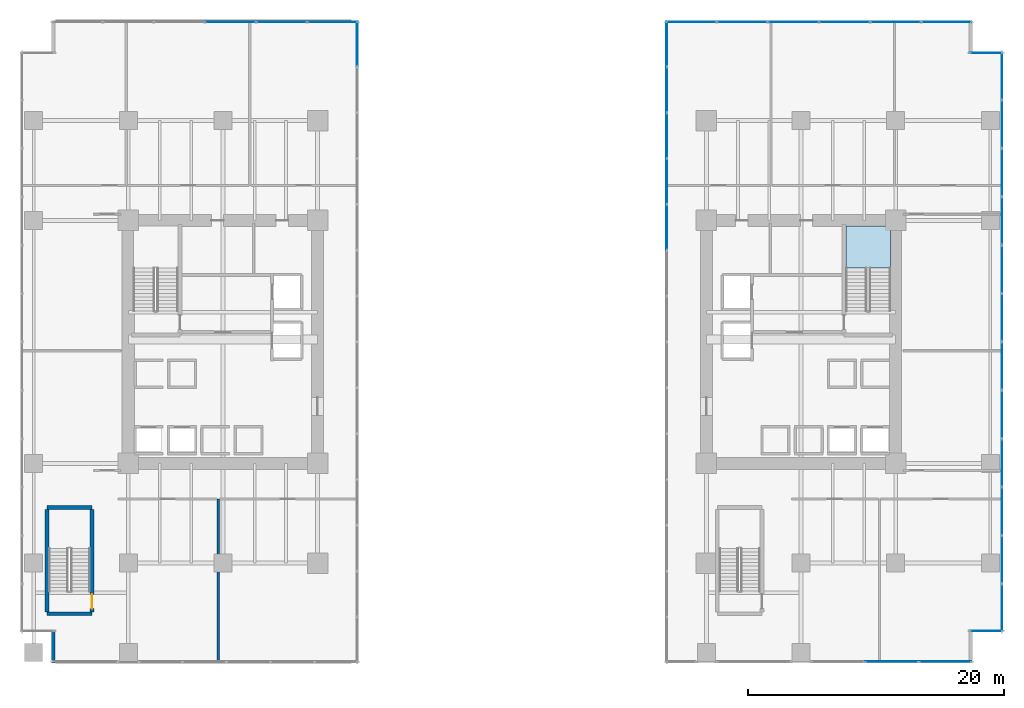
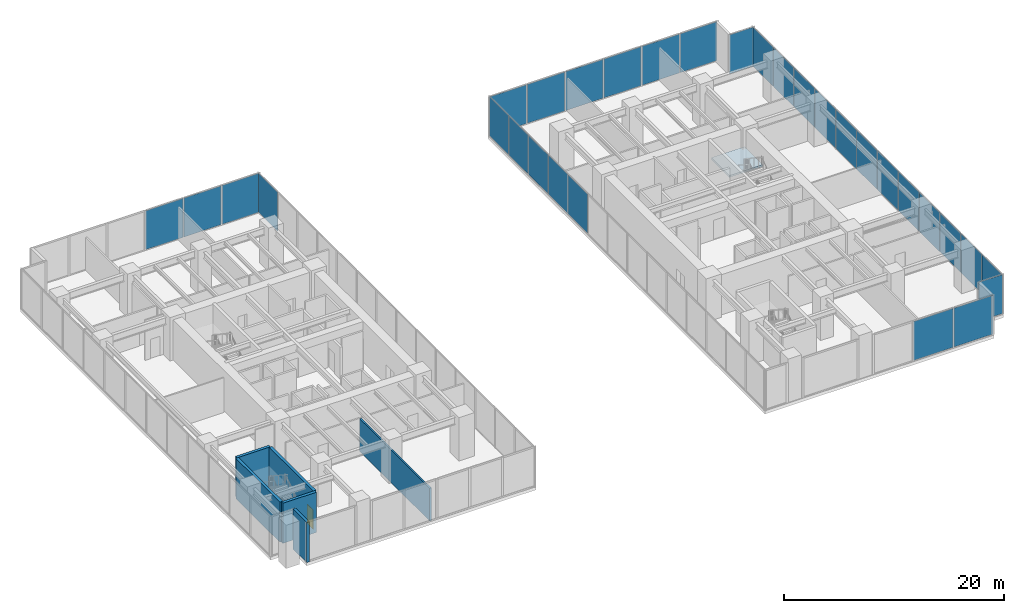
# One storey, part 24 of 32: 31 plates, 6 walls, 1 door, 1 slab, 1 opening, 9 elements without a shape of their own.
"""IFC4 building model written with IfcOpenShell, lengths in metres."""

from ifc_helpers import new_model, si_unit, direction, frame, frame_2d, origin, origin_2d, place, context, subcontext, project, spatial, polyline, rectangle, outline, extrude, source, transform, mapped, material, layer, layer_set, type_object, type_shapes, element, fill, aggregate, save


model = new_model("IFC4")

# Units and contexts
model_context = context("Model", 3, precision=1e-05, world=origin(), true_north=direction((0.0, 1.0)))
body_context = subcontext(model_context, "Body", "Model", "MODEL_VIEW")
ifc_project = project(units=[si_unit("LENGTHUNIT", "METRE"), si_unit("AREAUNIT", "SQUARE_METRE"), si_unit("VOLUMEUNIT", "CUBIC_METRE"), si_unit("PLANEANGLEUNIT", "RADIAN"), si_unit("MASSUNIT", "GRAM", prefix="KILO")], contexts=[model_context])

# Site, building, storey
site_placement = place(None, origin())
site = spatial("IfcSite", under=ifc_project, at=site_placement, CompositionType="ELEMENT")
building_placement = place(site_placement, origin())
building = spatial("IfcBuilding", under=site, at=building_placement, Name="Haelvirn Gate Laboratories", CompositionType="ELEMENT")
storey_placement = place(building_placement, frame((0.0, 0.0, 5.39990234375)))
storey = spatial("IfcBuildingStorey", under=building, at=storey_placement, Name="L02", CompositionType="ELEMENT", Elevation=5.39990234375)

# Stair, slab
ifc_material_1 = material(Name="Concrete C40/50", Category="concrete")
stair_type = type_object("IfcStairType", Name="ST-DOG-1650-R26", PredefinedType="HALF_TURN_STAIR", material=ifc_material_1)
stair_placement = place(storey_placement, origin())
stair = element("IfcStair", 1, at=stair_placement, inside=storey, type_object=stair_type, Name="L02 Escape Stair ST2", PredefinedType="HALF_TURN_STAIR")
ifc_layer_1 = layer(ifc_material_1, 0.199951171875, Name="SL-STAIR-LND")
ifc_layer_set_1 = layer_set([ifc_layer_1], Name="Concrete C40/50")
slab_type = type_object("IfcSlabType", Name="SL-STAIR-LND", PredefinedType="LANDING", material=ifc_layer_set_1)
slab_placement = place(storey_placement, frame((0.0, 0.0, 2.2001953125)))
slab = element("IfcSlab", 2, at=slab_placement, type_object=slab_type, Name="ST2 landing 1", PredefinedType="LANDING", context=body_context, shape_type="SweptSolid", body=[
    extrude(outline(polyline([(67.0, 30.06005859375), (67.0, 33.35009765625), (63.5, 33.35009765625), (63.5, 30.06005859375), (67.0, 30.06005859375)])), origin(), (0.0, 0.0, 1.0), 0.199951171875),
])
aggregate(stair, [slab])

# Curtain wall, plate
ifc_material_2 = material(Name="Anodised bronze unitised aluminium & triple low-E glass", Category="aluminium")
ifc_layer_2 = layer(ifc_material_2, 0.18798828125, Name="CW-SYS-1")
ifc_layer_set_2 = layer_set([ifc_layer_2], Name="Anodised bronze unitised aluminium & triple low-E glass")
curtain_wall_type_1 = type_object("IfcCurtainWallType", Name="CW-SYS-1", PredefinedType="NOTDEFINED", material=ifc_layer_set_2)
curtain_wall_1_placement = place(storey_placement, origin())
curtain_wall_1 = element("IfcCurtainWall", 3, at=curtain_wall_1_placement, inside=storey, type_object=curtain_wall_type_1, Name="L02 Unitised Curtain Wall CW-L02-P0-E01", PredefinedType="NOTDEFINED")
ifc_material_3 = material(Name="Bronze solar-control triple low-E IGU 48 mm", Category="glass")
ifc_layer_3 = layer(ifc_material_3, 0.048095703125, Name="CWP-IGU-48")
ifc_layer_set_3 = layer_set([ifc_layer_3], Name="Bronze solar-control triple low-E IGU 48 mm")
plate_type_1 = type_object("IfcPlateType", Name="CWP-IGU-48", PredefinedType="CURTAIN_PANEL", material=ifc_layer_set_3)
shared_shape_1 = source(origin(), body_context, "Body", "SweptSolid", [
    extrude(rectangle(XDim=3.4658203125, YDim=0.048095703125, at=origin_2d()), origin(), (0.0, 0.0, 1.0), 4.31005859375),
])
plate_1_placement = place(storey_placement, frame((25.300048828125, 47.587158203125, 0.070068359375), z_axis=(0.0, 0.0, 1.0), x_axis=(0.0, 1.0, 0.0)))
plate_1 = element("IfcPlate", 4, at=plate_1_placement, type_object=plate_type_1, Name="CW1 panel 14.1", PredefinedType="CURTAIN_PANEL", context=body_context, shape_type="MappedRepresentation", body=[
    mapped(shared_shape_1, transform((0.0, 0.0, 0.0), scale=1.0)),
])
aggregate(curtain_wall_1, [plate_1])

# Curtain wall, plates
curtain_wall_2_placement = place(storey_placement, origin())
curtain_wall_2 = element("IfcCurtainWall", 5, at=curtain_wall_2_placement, inside=storey, type_object=curtain_wall_type_1, Name="L02 Unitised Curtain Wall CW-L02-P1-E07", PredefinedType="NOTDEFINED")
plate_2_placement = place(storey_placement, frame((49.5, 47.587158203125, 0.070068359375), z_axis=(0.0, 0.0, 1.0), x_axis=(0.0, -1.0, 0.0)))
plate_2 = element("IfcPlate", 6, at=plate_2_placement, type_object=plate_type_1, Name="CW1 panel 1.1", PredefinedType="CURTAIN_PANEL", context=body_context, shape_type="MappedRepresentation", body=[
    mapped(shared_shape_1, transform((0.0, 0.0, 0.0), scale=1.0)),
])
shared_shape_2 = source(origin(), body_context, "Body", "SweptSolid", [
    extrude(rectangle(XDim=3.505615234375, YDim=0.048095703125, at=origin_2d()), origin(), (0.0, 0.0, 1.0), 4.31005859375),
])
plate_3_placement = place(storey_placement, frame((49.5, 44.021484375, 0.070068359375), z_axis=(0.0, 0.0, 1.0), x_axis=(0.0, -1.0, 0.0)))
plate_3 = element("IfcPlate", 7, at=plate_3_placement, type_object=plate_type_1, Name="CW1 panel 2.1", PredefinedType="CURTAIN_PANEL", context=body_context, shape_type="MappedRepresentation", body=[
    mapped(shared_shape_2, transform((0.0, 0.0, 0.0), scale=1.0)),
])
plate_4_placement = place(storey_placement, frame((49.5, 40.435791015625, 0.070068359375), z_axis=(0.0, 0.0, 1.0), x_axis=(0.0, -1.0, 0.0)))
plate_4 = element("IfcPlate", 8, at=plate_4_placement, type_object=plate_type_1, Name="CW1 panel 3.1", PredefinedType="CURTAIN_PANEL", context=body_context, shape_type="MappedRepresentation", body=[
    mapped(shared_shape_2, transform((0.0, 0.0, 0.0), scale=1.0)),
])
plate_5_placement = place(storey_placement, frame((49.5, 36.85009765625, 0.070068359375), z_axis=(0.0, 0.0, 1.0), x_axis=(0.0, -1.0, 0.0)))
plate_5 = element("IfcPlate", 9, at=plate_5_placement, type_object=plate_type_1, Name="CW1 panel 4.1", PredefinedType="CURTAIN_PANEL", context=body_context, shape_type="MappedRepresentation", body=[
    mapped(shared_shape_2, transform((0.0, 0.0, 0.0), scale=1.0)),
])
plate_6_placement = place(storey_placement, frame((49.5, 33.264404296875, 0.070068359375), z_axis=(0.0, 0.0, 1.0), x_axis=(0.0, -1.0, 0.0)))
plate_6 = element("IfcPlate", 10, at=plate_6_placement, type_object=plate_type_1, Name="CW1 panel 5.1", PredefinedType="CURTAIN_PANEL", context=body_context, shape_type="MappedRepresentation", body=[
    mapped(shared_shape_2, transform((0.0, 0.0, 0.0), scale=1.0)),
])
aggregate(curtain_wall_2, [plate_2, plate_3, plate_4, plate_5, plate_6])

# Curtain wall, plate
curtain_wall_3_placement = place(storey_placement, origin())
curtain_wall_3 = element("IfcCurtainWall", 11, at=curtain_wall_3_placement, inside=storey, type_object=curtain_wall_type_1, Name="L02 Unitised Curtain Wall CW-L02-P0-E02-1", PredefinedType="NOTDEFINED")
shared_shape_3 = source(origin(), body_context, "Body", "SweptSolid", [
    extrude(rectangle(XDim=3.8798828125, YDim=0.048095703125, at=origin_2d()), origin(), (0.0, 0.0, 1.0), 4.31005859375),
])
plate_7_placement = place(storey_placement, frame((23.3798828125, 49.300048828125, 0.070068359375), z_axis=(0.0, 0.0, 1.0), x_axis=(1.0, 0.0, 0.0)))
plate_7 = element("IfcPlate", 12, at=plate_7_placement, type_object=plate_type_1, Name="CW1 panel 6.1", PredefinedType="CURTAIN_PANEL", context=body_context, shape_type="MappedRepresentation", body=[
    mapped(shared_shape_3, transform((0.0, 0.0, 0.0), scale=1.0)),
])

# Curtain wall, plates
curtain_wall_4_placement = place(storey_placement, origin())
curtain_wall_4 = element("IfcCurtainWall", 13, at=curtain_wall_4_placement, inside=storey, type_object=curtain_wall_type_1, Name="L02 Unitised Curtain Wall CW-L02-P1-E06-1", PredefinedType="NOTDEFINED")
plate_8_placement = place(storey_placement, frame((51.419921875, 49.300048828125, 0.070068359375), z_axis=(0.0, 0.0, 1.0), x_axis=(1.0, 0.0, 0.0)))
plate_8 = element("IfcPlate", 14, at=plate_8_placement, type_object=plate_type_1, Name="CW1 panel 1.1", PredefinedType="CURTAIN_PANEL", context=body_context, shape_type="MappedRepresentation", body=[
    mapped(shared_shape_3, transform((0.0, 0.0, 0.0), scale=1.0)),
])
plate_9_placement = place(storey_placement, frame((71.3798828125, 49.300048828125, 0.070068359375), z_axis=(0.0, 0.0, 1.0), x_axis=(1.0, 0.0, 0.0)))
plate_9 = element("IfcPlate", 15, at=plate_9_placement, type_object=plate_type_1, Name="CW1 panel 6.1", PredefinedType="CURTAIN_PANEL", context=body_context, shape_type="MappedRepresentation", body=[
    mapped(shared_shape_3, transform((0.0, 0.0, 0.0), scale=1.0)),
])

# Plate
shared_shape_4 = source(origin(), body_context, "Body", "SweptSolid", [
    extrude(rectangle(XDim=3.919921875, YDim=0.048095703125, at=origin_2d()), origin(), (0.0, 0.0, 1.0), 4.31005859375),
])
plate_10_placement = place(storey_placement, frame((15.39990234375, 49.300048828125, 0.070068359375), z_axis=(0.0, 0.0, 1.0), x_axis=(1.0, 0.0, 0.0)))
plate_10 = element("IfcPlate", 16, at=plate_10_placement, type_object=plate_type_1, Name="CW1 panel 4.1", PredefinedType="CURTAIN_PANEL", context=body_context, shape_type="MappedRepresentation", body=[
    mapped(shared_shape_4, transform((0.0, 0.0, 0.0), scale=1.0)),
])

plate_11_placement = place(storey_placement, frame((19.39990234375, 49.300048828125, 0.070068359375), z_axis=(0.0, 0.0, 1.0), x_axis=(1.0, 0.0, 0.0)))
plate_11 = element("IfcPlate", 17, at=plate_11_placement, type_object=plate_type_1, Name="CW1 panel 5.1", PredefinedType="CURTAIN_PANEL", context=body_context, shape_type="MappedRepresentation", body=[
    mapped(shared_shape_4, transform((0.0, 0.0, 0.0), scale=1.0)),
])

aggregate(curtain_wall_3, [plate_10, plate_11, plate_7])

plate_12_placement = place(storey_placement, frame((55.39990234375, 49.300048828125, 0.070068359375), z_axis=(0.0, 0.0, 1.0), x_axis=(1.0, 0.0, 0.0)))
plate_12 = element("IfcPlate", 18, at=plate_12_placement, type_object=plate_type_1, Name="CW1 panel 2.1", PredefinedType="CURTAIN_PANEL", context=body_context, shape_type="MappedRepresentation", body=[
    mapped(shared_shape_4, transform((0.0, 0.0, 0.0), scale=1.0)),
])

plate_13_placement = place(storey_placement, frame((59.39990234375, 49.300048828125, 0.070068359375), z_axis=(0.0, 0.0, 1.0), x_axis=(1.0, 0.0, 0.0)))
plate_13 = element("IfcPlate", 19, at=plate_13_placement, type_object=plate_type_1, Name="CW1 panel 3.1", PredefinedType="CURTAIN_PANEL", context=body_context, shape_type="MappedRepresentation", body=[
    mapped(shared_shape_4, transform((0.0, 0.0, 0.0), scale=1.0)),
])

plate_14_placement = place(storey_placement, frame((63.39990234375, 49.300048828125, 0.070068359375), z_axis=(0.0, 0.0, 1.0), x_axis=(1.0, 0.0, 0.0)))
plate_14 = element("IfcPlate", 20, at=plate_14_placement, type_object=plate_type_1, Name="CW1 panel 4.1", PredefinedType="CURTAIN_PANEL", context=body_context, shape_type="MappedRepresentation", body=[
    mapped(shared_shape_4, transform((0.0, 0.0, 0.0), scale=1.0)),
])

plate_15_placement = place(storey_placement, frame((67.39990234375, 49.300048828125, 0.070068359375), z_axis=(0.0, 0.0, 1.0), x_axis=(1.0, 0.0, 0.0)))
plate_15 = element("IfcPlate", 21, at=plate_15_placement, type_object=plate_type_1, Name="CW1 panel 5.1", PredefinedType="CURTAIN_PANEL", context=body_context, shape_type="MappedRepresentation", body=[
    mapped(shared_shape_4, transform((0.0, 0.0, 0.0), scale=1.0)),
])

aggregate(curtain_wall_4, [plate_8, plate_12, plate_13, plate_14, plate_15, plate_9])

# Curtain wall, plate
ifc_layer_4 = layer(ifc_material_2, 0.181884765625, Name="CW-SYS-5")
ifc_layer_set_4 = layer_set([ifc_layer_4], Name="Anodised bronze unitised aluminium & triple low-E glass")
curtain_wall_type_2 = type_object("IfcCurtainWallType", Name="CW-SYS-5", PredefinedType="NOTDEFINED", material=ifc_layer_set_4)
curtain_wall_5_placement = place(storey_placement, origin())
curtain_wall_5 = element("IfcCurtainWall", 22, at=curtain_wall_5_placement, inside=storey, type_object=curtain_wall_type_2, Name="L02 Unitised Curtain Wall CW-L02-P1-E02-1", PredefinedType="NOTDEFINED")
ifc_material_4 = material(Name="Clear low-iron notched-corner triple IGU 42 mm", Category="glass")
ifc_layer_5 = layer(ifc_material_4, 0.0419921875, Name="CWP-NTC-42")
ifc_layer_set_5 = layer_set([ifc_layer_5], Name="Clear low-iron notched-corner triple IGU 42 mm")
plate_type_2 = type_object("IfcPlateType", Name="CWP-NTC-42", PredefinedType="CURTAIN_PANEL", material=ifc_layer_set_5)
shared_shape_5 = source(origin(), body_context, "Body", "SweptSolid", [
    extrude(rectangle(XDim=2.47998046875, YDim=0.0419921875, at=origin_2d()), origin(), (0.0, 0.0, 1.0), 4.320068359375),
])
type_shapes(plate_type_2, [shared_shape_5])
plate_16_placement = place(storey_placement, frame((74.47998046875, 1.699951171875, 0.06494140625), z_axis=(0.0, 0.0, 1.0), x_axis=(1.0, 0.0, 0.0)))
plate_16 = element("IfcPlate", 23, at=plate_16_placement, type_object=plate_type_2, Name="CW5 panel 1.1", PredefinedType="CURTAIN_PANEL", context=body_context, shape_type="MappedRepresentation", body=[
    mapped(shared_shape_5, transform((0.0, 0.0, 0.0), scale=1.0)),
])
aggregate(curtain_wall_5, [plate_16])

curtain_wall_6_placement = place(storey_placement, origin())
curtain_wall_6 = element("IfcCurtainWall", 24, at=curtain_wall_6_placement, inside=storey, type_object=curtain_wall_type_2, Name="L02 Unitised Curtain Wall CW-L02-P1-E04-1", PredefinedType="NOTDEFINED")
plate_17_placement = place(storey_placement, frame((74.47998046875, 46.89990234375, 0.06494140625), z_axis=(0.0, 0.0, 1.0), x_axis=(1.0, 0.0, 0.0)))
plate_17 = element("IfcPlate", 25, at=plate_17_placement, type_object=plate_type_2, Name="CW5 panel 1.1", PredefinedType="CURTAIN_PANEL", context=body_context, shape_type="MappedRepresentation", body=[
    mapped(shared_shape_5, transform((0.0, 0.0, 0.0), scale=1.0)),
])
aggregate(curtain_wall_6, [plate_17])

# Curtain wall, plates
curtain_wall_7_placement = place(storey_placement, origin())
curtain_wall_7 = element("IfcCurtainWall", 26, at=curtain_wall_7_placement, inside=storey, type_object=curtain_wall_type_1, Name="L02 Unitised Curtain Wall CW-L02-P1-E03", PredefinedType="NOTDEFINED")
shared_shape_6 = source(origin(), body_context, "Body", "SweptSolid", [
    extrude(rectangle(XDim=3.663330078125, YDim=0.048095703125, at=origin_2d()), origin(), (0.0, 0.0, 1.0), 4.31005859375),
])
plate_18_placement = place(storey_placement, frame((75.699951171875, 3.51171875, 0.070068359375), z_axis=(0.0, 0.0, 1.0), x_axis=(0.0, 1.0, 0.0)))
plate_18 = element("IfcPlate", 27, at=plate_18_placement, type_object=plate_type_1, Name="CW1 panel 1.1", PredefinedType="CURTAIN_PANEL", context=body_context, shape_type="MappedRepresentation", body=[
    mapped(shared_shape_6, transform((0.0, 0.0, 0.0), scale=1.0)),
])
plate_19_placement = place(storey_placement, frame((75.699951171875, 45.08837890625, 0.070068359375), z_axis=(0.0, 0.0, 1.0), x_axis=(0.0, 1.0, 0.0)))
plate_19 = element("IfcPlate", 28, at=plate_19_placement, type_object=plate_type_1, Name="CW1 panel 12.1", PredefinedType="CURTAIN_PANEL", context=body_context, shape_type="MappedRepresentation", body=[
    mapped(shared_shape_6, transform((0.0, 0.0, 0.0), scale=1.0)),
])
shared_shape_7 = source(origin(), body_context, "Body", "SweptSolid", [
    extrude(rectangle(XDim=3.703369140625, YDim=0.048095703125, at=origin_2d()), origin(), (0.0, 0.0, 1.0), 4.31005859375),
])
plate_20_placement = place(storey_placement, frame((75.699951171875, 7.27490234375, 0.070068359375), z_axis=(0.0, 0.0, 1.0), x_axis=(0.0, 1.0, 0.0)))
plate_20 = element("IfcPlate", 29, at=plate_20_placement, type_object=plate_type_1, Name="CW1 panel 2.1", PredefinedType="CURTAIN_PANEL", context=body_context, shape_type="MappedRepresentation", body=[
    mapped(shared_shape_7, transform((0.0, 0.0, 0.0), scale=1.0)),
])
plate_21_placement = place(storey_placement, frame((75.699951171875, 11.058349609375, 0.070068359375), z_axis=(0.0, 0.0, 1.0), x_axis=(0.0, 1.0, 0.0)))
plate_21 = element("IfcPlate", 30, at=plate_21_placement, type_object=plate_type_1, Name="CW1 panel 3.1", PredefinedType="CURTAIN_PANEL", context=body_context, shape_type="MappedRepresentation", body=[
    mapped(shared_shape_7, transform((0.0, 0.0, 0.0), scale=1.0)),
])
plate_22_placement = place(storey_placement, frame((75.699951171875, 14.841552734375, 0.070068359375), z_axis=(0.0, 0.0, 1.0), x_axis=(0.0, 1.0, 0.0)))
plate_22 = element("IfcPlate", 31, at=plate_22_placement, type_object=plate_type_1, Name="CW1 panel 4.1", PredefinedType="CURTAIN_PANEL", context=body_context, shape_type="MappedRepresentation", body=[
    mapped(shared_shape_7, transform((0.0, 0.0, 0.0), scale=1.0)),
])
plate_23_placement = place(storey_placement, frame((75.699951171875, 18.625, 0.070068359375), z_axis=(0.0, 0.0, 1.0), x_axis=(0.0, 1.0, 0.0)))
plate_23 = element("IfcPlate", 32, at=plate_23_placement, type_object=plate_type_1, Name="CW1 panel 5.1", PredefinedType="CURTAIN_PANEL", context=body_context, shape_type="MappedRepresentation", body=[
    mapped(shared_shape_7, transform((0.0, 0.0, 0.0), scale=1.0)),
])
plate_24_placement = place(storey_placement, frame((75.699951171875, 22.408447265625, 0.070068359375), z_axis=(0.0, 0.0, 1.0), x_axis=(0.0, 1.0, 0.0)))
plate_24 = element("IfcPlate", 33, at=plate_24_placement, type_object=plate_type_1, Name="CW1 panel 6.1", PredefinedType="CURTAIN_PANEL", context=body_context, shape_type="MappedRepresentation", body=[
    mapped(shared_shape_7, transform((0.0, 0.0, 0.0), scale=1.0)),
])
plate_25_placement = place(storey_placement, frame((75.699951171875, 26.191650390625, 0.070068359375), z_axis=(0.0, 0.0, 1.0), x_axis=(0.0, 1.0, 0.0)))
plate_25 = element("IfcPlate", 34, at=plate_25_placement, type_object=plate_type_1, Name="CW1 panel 7.1", PredefinedType="CURTAIN_PANEL", context=body_context, shape_type="MappedRepresentation", body=[
    mapped(shared_shape_7, transform((0.0, 0.0, 0.0), scale=1.0)),
])
plate_26_placement = place(storey_placement, frame((75.699951171875, 29.97509765625, 0.070068359375), z_axis=(0.0, 0.0, 1.0), x_axis=(0.0, 1.0, 0.0)))
plate_26 = element("IfcPlate", 35, at=plate_26_placement, type_object=plate_type_1, Name="CW1 panel 8.1", PredefinedType="CURTAIN_PANEL", context=body_context, shape_type="MappedRepresentation", body=[
    mapped(shared_shape_7, transform((0.0, 0.0, 0.0), scale=1.0)),
])
plate_27_placement = place(storey_placement, frame((75.699951171875, 33.75830078125, 0.070068359375), z_axis=(0.0, 0.0, 1.0), x_axis=(0.0, 1.0, 0.0)))
plate_27 = element("IfcPlate", 36, at=plate_27_placement, type_object=plate_type_1, Name="CW1 panel 9.1", PredefinedType="CURTAIN_PANEL", context=body_context, shape_type="MappedRepresentation", body=[
    mapped(shared_shape_7, transform((0.0, 0.0, 0.0), scale=1.0)),
])
plate_28_placement = place(storey_placement, frame((75.699951171875, 37.541748046875, 0.070068359375), z_axis=(0.0, 0.0, 1.0), x_axis=(0.0, 1.0, 0.0)))
plate_28 = element("IfcPlate", 37, at=plate_28_placement, type_object=plate_type_1, Name="CW1 panel 10.1", PredefinedType="CURTAIN_PANEL", context=body_context, shape_type="MappedRepresentation", body=[
    mapped(shared_shape_7, transform((0.0, 0.0, 0.0), scale=1.0)),
])
plate_29_placement = place(storey_placement, frame((75.699951171875, 41.324951171875, 0.070068359375), z_axis=(0.0, 0.0, 1.0), x_axis=(0.0, 1.0, 0.0)))
plate_29 = element("IfcPlate", 38, at=plate_29_placement, type_object=plate_type_1, Name="CW1 panel 11.1", PredefinedType="CURTAIN_PANEL", context=body_context, shape_type="MappedRepresentation", body=[
    mapped(shared_shape_7, transform((0.0, 0.0, 0.0), scale=1.0)),
])
aggregate(curtain_wall_7, [plate_18, plate_20, plate_21, plate_22, plate_23, plate_24, plate_25, plate_26, plate_27, plate_28, plate_29, plate_19])

curtain_wall_8_placement = place(storey_placement, origin())
curtain_wall_8 = element("IfcCurtainWall", 39, at=curtain_wall_8_placement, inside=storey, type_object=curtain_wall_type_1, Name="L02 Unitised Curtain Wall CW-L02-P1-E00-1-S3", PredefinedType="NOTDEFINED")
shared_shape_8 = source(origin(), body_context, "Body", "SweptSolid", [
    extrude(rectangle(XDim=4.086669921875, YDim=0.048095703125, at=origin_2d()), origin(), (0.0, 0.0, 1.0), 4.31005859375),
])
plate_30_placement = place(storey_placement, frame((71.276611328125, -0.699951171875, 0.070068359375), z_axis=(0.0, 0.0, 1.0), x_axis=(1.0, 0.0, 0.0)))
plate_30 = element("IfcPlate", 40, at=plate_30_placement, type_object=plate_type_1, Name="CW1 panel 3.1", PredefinedType="CURTAIN_PANEL", context=body_context, shape_type="MappedRepresentation", body=[
    mapped(shared_shape_8, transform((0.0, 0.0, 0.0), scale=1.0)),
])
shared_shape_9 = source(origin(), body_context, "Body", "SweptSolid", [
    extrude(rectangle(XDim=4.126708984375, YDim=0.048095703125, at=origin_2d()), origin(), (0.0, 0.0, 1.0), 4.31005859375),
])
type_shapes(plate_type_1, [shared_shape_1, shared_shape_2, shared_shape_3, shared_shape_4, shared_shape_6, shared_shape_7, shared_shape_8, shared_shape_9])
plate_31_placement = place(storey_placement, frame((67.090087890625, -0.699951171875, 0.070068359375), z_axis=(0.0, 0.0, 1.0), x_axis=(1.0, 0.0, 0.0)))
plate_31 = element("IfcPlate", 41, at=plate_31_placement, type_object=plate_type_1, Name="CW1 panel 2.1", PredefinedType="CURTAIN_PANEL", context=body_context, shape_type="MappedRepresentation", body=[
    mapped(shared_shape_9, transform((0.0, 0.0, 0.0), scale=1.0)),
])
aggregate(curtain_wall_8, [plate_31, plate_30])

# Walls
ifc_material_5 = material(Name="Thermally-broken bronze aluminium rainscreen & mineral wool", Category="aluminium")
ifc_layer_6 = layer(ifc_material_5, 0.280029296875, Name="EW-TERR-280")
ifc_layer_set_6 = layer_set([ifc_layer_6], Name="Thermally-broken bronze aluminium rainscreen & mineral wool")
wall_type_1 = type_object("IfcWallType", Name="EW-TERR-280", PredefinedType="STANDARD", material=ifc_layer_set_6)
wall_1_placement = place(storey_placement, frame((1.5400390625, 1.68798828125, 0.0), z_axis=(0.0, 0.0, 1.0), x_axis=(0.0, -1.0, 0.0)))
element("IfcWall", 42, at=wall_1_placement, inside=storey, type_object=wall_type_1, Name="L02 Atrium Recess Bronze Return Wall 07", PredefinedType="STANDARD", context=body_context, shape_type="SweptSolid", body=[
    extrude(rectangle(XDim=2.488037109375, YDim=0.280029296875, at=frame_2d((1.244140625, 0.0))), origin(), (0.0, 0.0, 1.0), 4.4501953125),
])
ifc_material_6 = material(Name="Moisture-resistant gypsum laboratory partition", Category="gypsum")
ifc_layer_7 = layer(ifc_material_6, 0.1650390625, Name="IW-PART-160")
ifc_layer_set_7 = layer_set([ifc_layer_7], Name="Moisture-resistant gypsum laboratory partition")
wall_type_2 = type_object("IfcWallType", Name="IW-PART-160", PredefinedType="PARTITIONING", material=ifc_layer_set_7)
wall_2_placement = place(storey_placement, frame((14.43310546875, -0.68994140625, 0.0), z_axis=(0.0, 0.0, 1.0), x_axis=(0.0, 1.0, 0.0)))
element("IfcWall", 43, at=wall_2_placement, inside=storey, type_object=wall_type_2, Name="L02 Interior Wall IW-L02-PODSDIV-W-1", PredefinedType="PARTITIONING", context=body_context, shape_type="SweptSolid", body=[
    extrude(rectangle(XDim=12.7099609375, YDim=0.1650390625, at=frame_2d((6.35498046875, 0.0))), origin(), (0.0, 0.0, 1.0), 3.635009765625),
])
ifc_material_7 = material(Name="Concrete C50/60", Category="concrete")
ifc_layer_8 = layer(ifc_material_7, 0.300048828125, Name="SW-STAIR-300")
ifc_layer_set_8 = layer_set([ifc_layer_8], Name="Concrete C50/60")
wall_type_3 = type_object("IfcWallType", Name="SW-STAIR-300", PredefinedType="SHEAR", material=ifc_layer_set_8)
for number, where, z_axis, x_axis, name in (
    (44, (1.050048828125, 3.050048828125, 0.0), (0.0, 0.0, 1.0), (1.0, 0.0, 0.0), "L02 Podium Stair ST3 Structural Wall S"),
    (45, (1.050048828125, 11.35009765625, 0.0), (0.0, 0.0, 1.0), (1.0, 0.0, 0.0), "L02 Podium Stair ST3 Structural Wall N"),
):
    element("IfcWall", number, at=place(storey_placement, frame(where, z_axis=z_axis, x_axis=x_axis)), inside=storey, type_object=wall_type_3, Name=name, PredefinedType="SHEAR", context=body_context, shape_type="SweptSolid", body=[
        extrude(rectangle(XDim=3.5, YDim=0.300048828125, at=frame_2d((1.75, 0.0))), origin(), (0.0, 0.0, 1.0), 4.4501953125),
    ])
wall_3_placement = place(storey_placement, frame((1.050048828125, 3.199951171875, 0.0), z_axis=(0.0, 0.0, 1.0), x_axis=(0.0, 1.0, 0.0)))
element("IfcWall", 46, at=wall_3_placement, inside=storey, type_object=wall_type_3, Name="L02 Podium Stair ST3 Structural Wall W", PredefinedType="SHEAR", context=body_context, shape_type="SweptSolid", body=[
    extrude(rectangle(XDim=8.0, YDim=0.300048828125, at=frame_2d((4.0, 0.0))), origin(), (0.0, 0.0, 1.0), 4.4501953125),
])

# Wall, opening, door
wall_4_placement = place(storey_placement, frame((4.550048828125, 3.199951171875, 0.0), z_axis=(0.0, 0.0, 1.0), x_axis=(0.0, 1.0, 0.0)))
wall_4 = element("IfcWall", 47, at=wall_4_placement, inside=storey, type_object=wall_type_3, Name="L02 Podium Stair ST3 Structural Wall E", PredefinedType="SHEAR", context=body_context, shape_type="SweptSolid", body=[
    extrude(rectangle(XDim=8.0, YDim=0.300048828125, at=frame_2d((4.0, 0.0))), origin(), (0.0, 0.0, 1.0), 4.4501953125),
])
opening_placement = place(wall_4_placement, frame((0.25, 0.0, 0.0)))
opening = element("IfcOpeningElement", 48, at=opening_placement, cuts=wall_4, Name="Opening FD3", PredefinedType="OPENING", context=body_context, shape_type="SweptSolid", body=[
    extrude(rectangle(XDim=1.10009765625, YDim=2.14990234375, at=frame_2d((0.550048828125, 1.074951171875))), frame((0.0, 0.16015625, 0.0), z_axis=(0.0, -1.0, 0.0), x_axis=(1.0, 0.0, 0.0)), (0.0, 0.0, 1.0), 0.320068359375),
])
ifc_material_8 = material(Name="Fire-rated steel SM355 escape stair door", Category="steel")
door_type = type_object("IfcDoorType", Name="DR-FD-1100", OperationType="NOTDEFINED", PredefinedType="DOOR", material=ifc_material_8)
shared_shape_10 = source(origin(), body_context, "Body", "SweptSolid", [
    extrude(rectangle(XDim=1.10009765625, YDim=2.14990234375, at=frame_2d((0.550048828125, 1.074951171875))), frame((0.0, 0.02490234375, 0.0), z_axis=(0.0, -1.0, 0.0), x_axis=(1.0, 0.0, 0.0)), (0.0, 0.0, 1.0), 0.050048828125),
])
type_shapes(door_type, [shared_shape_10])
door_placement = place(opening_placement, origin())
door = element("IfcDoor", 49, at=door_placement, inside=storey, type_object=door_type, Name="L02 Escape Stair ST3 Fire Door", OperationType="SINGLE_SWING_RIGHT", OverallHeight=2.14990234375, OverallWidth=1.10009765625, PredefinedType="DOOR", context=body_context, shape_type="MappedRepresentation", body=[
    mapped(shared_shape_10, transform((0.0, 0.0, 0.0), scale=1.0)),
])
fill(opening, door)

save(model, "model.ifc")
